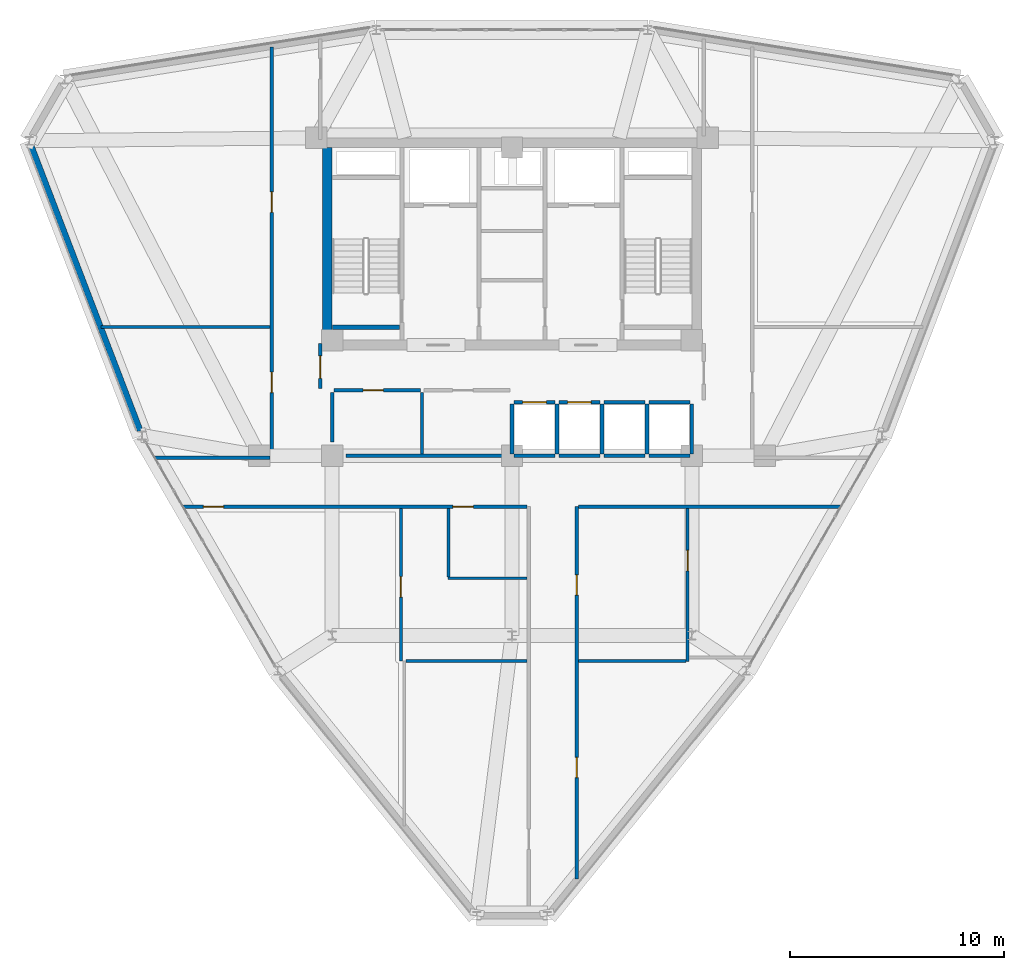
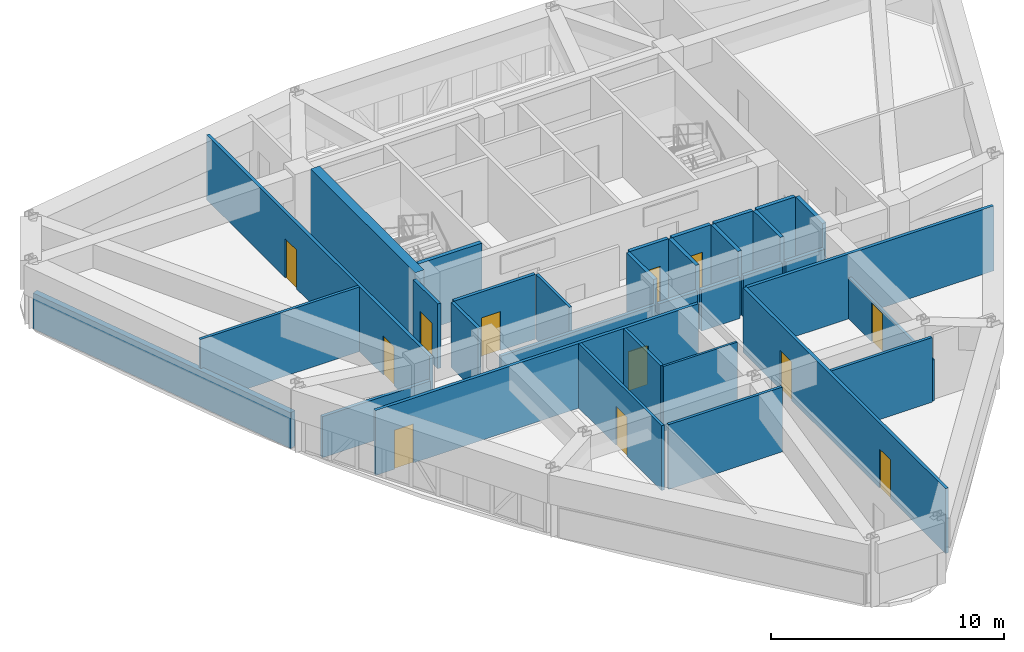
# One storey, part 10 of 14: 33 walls, 12 doors, 12 openings.
"""IFC4 building model written with IfcOpenShell, lengths in metres."""

from ifc_helpers import new_model, si_unit, derived_unit, direction, frame, frame_2d, origin, place, context, subcontext, project, spatial, rectangle, extrude, material, layer, layer_set, type_object, element, fill, save


model = new_model("IFC4")

# Units and contexts
model_context = context("Model", 3, precision=1e-05, world=origin(), true_north=direction((0.0, 1.0)))
body_context = subcontext(model_context, "Body", "Model", "MODEL_VIEW")
ifc_project = project(units=[si_unit("LENGTHUNIT", "METRE"), si_unit("AREAUNIT", "SQUARE_METRE"), si_unit("VOLUMEUNIT", "CUBIC_METRE"), si_unit("PLANEANGLEUNIT", "RADIAN"), si_unit("MASSUNIT", "GRAM", prefix="KILO"), derived_unit("THERMALTRANSMITTANCEUNIT", [(si_unit("POWERUNIT", "WATT"), 1), (si_unit("LENGTHUNIT", "METRE"), -2), (si_unit("THERMODYNAMICTEMPERATUREUNIT", "KELVIN"), -1)])], contexts=[model_context])

# Site, building, storey
site_placement = place(None, origin())
site = spatial("IfcSite", under=ifc_project, at=site_placement, CompositionType="ELEMENT")
building_placement = place(site_placement, origin())
building = spatial("IfcBuilding", under=site, at=building_placement, Name="Korsvarv Bourse and Concert Hall", CompositionType="ELEMENT")
storey_placement = place(building_placement, frame((0.0, 0.0, 175.800048828125)))
storey = spatial("IfcBuildingStorey", under=building, at=storey_placement, Name="L45", CompositionType="ELEMENT", Elevation=175.800048828125)

# Walls
ifc_material_1 = material(Name="Concrete C50/60", Category="concrete")
ifc_layer_1 = layer(ifc_material_1, 0.3798828125)
ifc_layer_set_1 = layer_set([ifc_layer_1], Name="Concrete C50/60")
wall_type_1 = type_object("IfcWallType", Name="WL-CORE-380", PredefinedType="SHEAR", material=ifc_layer_set_1)
wall_1_placement = place(storey_placement, frame((27.610107421875, 38.39990234375, 0.0), z_axis=(0.0, 0.0, 1.0), x_axis=(1.0, 0.0, 0.0)))
element("IfcWall", 1, at=wall_1_placement, inside=storey, type_object=wall_type_1, Name="L45 stair shaft structural wall W-L45-ST1-S", PredefinedType="SHEAR", context=body_context, shape_type="SweptSolid", body=[
    extrude(rectangle(XDim=3.139892578125, YDim=0.199951171875, at=frame_2d((1.56982421875, 0.0))), origin(), (0.0, 0.0, 1.0), 3.599853515625),
])
ifc_material_2 = material(Name="Concrete C55/67", Category="concrete")
ifc_layer_2 = layer(ifc_material_2, 0.449951171875)
ifc_layer_set_2 = layer_set([ifc_layer_2], Name="Concrete C55/67")
wall_type_2 = type_object("IfcWallType", Name="WL-CORE-450", PredefinedType="SHEAR", material=ifc_layer_set_2)
wall_2_placement = place(storey_placement, frame((27.375, 37.800048828125, 0.0), z_axis=(0.0, 0.0, 1.0), x_axis=(0.0, 1.0, 0.0)))
element("IfcWall", 2, at=wall_2_placement, inside=storey, type_object=wall_type_2, Name="L45 West Core Shear Wall", PredefinedType="SHEAR", context=body_context, shape_type="SweptSolid", body=[
    extrude(rectangle(XDim=9.0, YDim=0.449951171875, at=frame_2d((4.5, 0.0))), origin(), (0.0, 0.0, 1.0), 3.599853515625),
])
ifc_material_3 = material(Name="Precast concrete C45/55 with fluted terracotta pier", Category="concrete")
ifc_layer_3 = layer(ifc_material_3, 0.280029296875)
ifc_layer_set_3 = layer_set([ifc_layer_3], Name="Precast concrete C45/55 with fluted terracotta pier")
wall_type_3 = type_object("IfcWallType", Name="WL-EXT-TC2", PredefinedType="SOLIDWALL", material=ifc_layer_set_3)
wall_3_placement = place(storey_placement, frame((13.527587890625, 46.9013671875, 0.0), z_axis=(0.0, 0.0, 1.0), x_axis=(0.357407179744, -0.933948664471, 0.0)))
element("IfcWall", 3, at=wall_3_placement, inside=storey, type_object=wall_type_3, Name="L45 terracotta exterior wall EW-L45-B06", PredefinedType="SOLIDWALL", context=body_context, shape_type="SweptSolid", body=[
    extrude(rectangle(XDim=14.283935546875, YDim=0.280029296875, at=frame_2d((7.14208984375, 0.0))), origin(), (0.0, 0.0, 1.0), 1.869873046875),
])
ifc_material_4 = material(Name="Double-stud fire-rated acoustic partition", Category="gypsum")
ifc_layer_4 = layer(ifc_material_4, 0.159912109375)
ifc_layer_set_4 = layer_set([ifc_layer_4], Name="Double-stud fire-rated acoustic partition")
wall_type_4 = type_object("IfcWallType", Name="WL-INT-EI60", PredefinedType="PARTITIONING", material=ifc_layer_set_4)
wall_4_placement = place(storey_placement, frame((28.25, 32.39990234375, 0.0), z_axis=(0.0, 0.0, 1.0), x_axis=(1.0, 0.0, 0.0)))
element("IfcWall", 4, at=wall_4_placement, inside=storey, type_object=wall_type_4, Name="L45 interior partition wall W-L45-FRD-S", PredefinedType="PARTITIONING", context=body_context, shape_type="SweptSolid", body=[
    extrude(rectangle(XDim=7.64990234375, YDim=0.159912109375, at=frame_2d((3.824951171875, 0.0))), origin(), (0.0, 0.0, 1.0), 2.159912109375),
])
wall_5_placement = place(storey_placement, frame((27.60009765625, 33.050048828125, 0.0), z_axis=(0.0, 0.0, 1.0), x_axis=(0.0, 1.0, 0.0)))
element("IfcWall", 5, at=wall_5_placement, inside=storey, type_object=wall_type_4, Name="L45 interior partition wall W-L45-FRD-W", PredefinedType="PARTITIONING", context=body_context, shape_type="SweptSolid", body=[
    extrude(rectangle(XDim=2.31005859375, YDim=0.159912109375, at=frame_2d((1.155029296875, 0.0))), origin(), (0.0, 0.0, 1.0), 3.39990234375),
])

# Wall, opening, door
wall_6_placement = place(storey_placement, frame((27.68994140625, 35.449951171875, 0.0), z_axis=(0.0, 0.0, 1.0), x_axis=(1.0, 0.0, 0.0)))
wall_6 = element("IfcWall", 6, at=wall_6_placement, inside=storey, type_object=wall_type_4, Name="L45 interior partition wall W-L45-FRD-N1", PredefinedType="PARTITIONING", context=body_context, shape_type="SweptSolid", body=[
    extrude(rectangle(XDim=4.030029296875, YDim=0.159912109375, at=frame_2d((2.01513671875, 0.0))), origin(), (0.0, 0.0, 1.0), 3.39990234375),
])
opening_1_placement = place(wall_6_placement, frame((1.35009765625, 0.0, 0.0)))
opening_1 = element("IfcOpeningElement", 7, at=opening_1_placement, cuts=wall_6, Name="Opening D-03", PredefinedType="OPENING", context=body_context, shape_type="SweptSolid", body=[
    extrude(rectangle(XDim=0.949951171875, YDim=2.050048828125, at=frame_2d((0.47509765625, 1.02490234375))), frame((0.0, 0.08984375, 0.0), z_axis=(0.0, -1.0, 0.0), x_axis=(1.0, 0.0, 0.0)), (0.0, 0.0, 1.0), 0.179931640625),
])
ifc_material_5 = material(Name="Nordic oak acoustic office door", Category="wood")
door_type_1 = type_object("IfcDoorType", Name="DR-INT-1", OperationType="NOTDEFINED", PredefinedType="DOOR", material=ifc_material_5)
door_1_placement = place(opening_1_placement, origin())
door_1 = element("IfcDoor", 8, at=door_1_placement, inside=storey, type_object=door_type_1, Name="L45 interior door DR-L45-FRDN1", OperationType="SINGLE_SWING_RIGHT", OverallHeight=2.050048828125, OverallWidth=0.949951171875, PredefinedType="DOOR", context=body_context, shape_type="SweptSolid", body=[
    extrude(rectangle(XDim=0.949951171875, YDim=2.050048828125, at=frame_2d((0.47509765625, 1.02490234375))), frame((0.0, 0.02490234375, 0.0), z_axis=(0.0, -1.0, 0.0), x_axis=(1.0, 0.0, 0.0)), (0.0, 0.0, 1.0), 0.050048828125),
])
fill(opening_1, door_1)

wall_7_placement = place(storey_placement, frame((27.0400390625, 35.5400390625, 0.0), z_axis=(0.0, 0.0, 1.0), x_axis=(0.0, 1.0, 0.0)))
wall_7 = element("IfcWall", 9, at=wall_7_placement, inside=storey, type_object=wall_type_4, Name="L45 interior partition wall W-L45-LOB-WL", PredefinedType="PARTITIONING", context=body_context, shape_type="SweptSolid", body=[
    extrude(rectangle(XDim=2.10986328125, YDim=0.159912109375, at=frame_2d((1.054931640625, 0.0))), origin(), (0.0, 0.0, 1.0), 3.39990234375),
])
opening_2_placement = place(wall_7_placement, frame((0.47998046875, 0.0, 0.0)))
opening_2 = element("IfcOpeningElement", 10, at=opening_2_placement, cuts=wall_7, Name="Opening D-01", PredefinedType="OPENING", context=body_context, shape_type="SweptSolid", body=[
    extrude(rectangle(XDim=1.050048828125, YDim=2.10009765625, at=frame_2d((0.52490234375, 1.050048828125))), frame((0.0, 0.08984375, 0.0), z_axis=(0.0, -1.0, 0.0), x_axis=(1.0, 0.0, 0.0)), (0.0, 0.0, 1.0), 0.179931640625),
])
ifc_material_6 = material(Name="Steel S355 fire door", Category="steel")
door_type_2 = type_object("IfcDoorType", Name="DR-FD60", OperationType="NOTDEFINED", PredefinedType="DOOR", material=ifc_material_6)
door_2_placement = place(opening_2_placement, frame((1.050048828125, 0.0, 0.0), z_axis=(0.0, 0.0, 1.0), x_axis=(-1.0, 0.0, 0.0)))
door_2 = element("IfcDoor", 11, at=door_2_placement, inside=storey, type_object=door_type_2, Name="L45 interior door DR-L45-LOBW", OperationType="SINGLE_SWING_RIGHT", OverallHeight=2.10009765625, OverallWidth=1.050048828125, PredefinedType="DOOR", context=body_context, shape_type="SweptSolid", body=[
    extrude(rectangle(XDim=1.050048828125, YDim=2.10009765625, at=frame_2d((0.52490234375, 1.050048828125))), frame((0.0, 0.02490234375, 0.0), z_axis=(0.0, -1.0, 0.0), x_axis=(1.0, 0.0, 0.0)), (0.0, 0.0, 1.0), 0.050048828125),
])
fill(opening_2, door_2)

# Wall, openings, doors
wall_8_placement = place(storey_placement, frame((24.77490234375, 32.31005859375, 0.0), z_axis=(0.0, 0.0, 1.0), x_axis=(0.0, 1.0, 0.0)))
wall_8 = element("IfcWall", 12, at=wall_8_placement, inside=storey, type_object=wall_type_4, Name="L45 interior partition wall W-L45-TCOR-02", PredefinedType="PARTITIONING", context=body_context, shape_type="SweptSolid", body=[
    extrude(rectangle(XDim=19.187744140625, YDim=0.159912109375, at=frame_2d((9.59375, 0.0))), origin(), (0.0, 0.0, 1.0), 3.39990234375),
])
opening_3_placement = place(wall_8_placement, frame((3.044189453125, 0.0, 0.0)))
opening_3 = element("IfcOpeningElement", 13, at=opening_3_placement, cuts=wall_8, Name="Opening D-02", PredefinedType="OPENING", context=body_context, shape_type="SweptSolid", body=[
    extrude(rectangle(XDim=0.949951171875, YDim=2.050048828125, at=frame_2d((0.47509765625, 1.02490234375))), frame((0.0, 0.08984375, 0.0), z_axis=(0.0, -1.0, 0.0), x_axis=(1.0, 0.0, 0.0)), (0.0, 0.0, 1.0), 0.179931640625),
])
opening_4_placement = place(wall_8_placement, frame((11.46337890625, 0.0, 0.0)))
opening_4 = element("IfcOpeningElement", 14, at=opening_4_placement, cuts=wall_8, Name="Opening D-02", PredefinedType="OPENING", context=body_context, shape_type="SweptSolid", body=[
    extrude(rectangle(XDim=0.949951171875, YDim=2.050048828125, at=frame_2d((0.47509765625, 1.02490234375))), frame((0.0, 0.08984375, 0.0), z_axis=(0.0, -1.0, 0.0), x_axis=(1.0, 0.0, 0.0)), (0.0, 0.0, 1.0), 0.179931640625),
])
ifc_material_7 = material(Name="Timber and steel acoustic fire door", Category="wood")
door_type_3 = type_object("IfcDoorType", Name="DR-FD30", OperationType="NOTDEFINED", PredefinedType="DOOR", material=ifc_material_7)
door_3_placement = place(opening_3_placement, origin())
door_3 = element("IfcDoor", 15, at=door_3_placement, inside=storey, type_object=door_type_3, Name="L45 interior door DR-L45-TCOR-CD610", OperationType="SINGLE_SWING_RIGHT", OverallHeight=2.050048828125, OverallWidth=0.949951171875, PredefinedType="DOOR", context=body_context, shape_type="SweptSolid", body=[
    extrude(rectangle(XDim=0.949951171875, YDim=2.050048828125, at=frame_2d((0.47509765625, 1.02490234375))), frame((0.0, 0.02490234375, 0.0), z_axis=(0.0, -1.0, 0.0), x_axis=(1.0, 0.0, 0.0)), (0.0, 0.0, 1.0), 0.050048828125),
])
fill(opening_3, door_3)
door_4_placement = place(opening_4_placement, origin())
door_4 = element("IfcDoor", 16, at=door_4_placement, inside=storey, type_object=door_type_3, Name="L45 interior door DR-L45-TCOR-CD711", OperationType="SINGLE_SWING_LEFT", OverallHeight=2.050048828125, OverallWidth=0.949951171875, PredefinedType="DOOR", context=body_context, shape_type="SweptSolid", body=[
    extrude(rectangle(XDim=0.949951171875, YDim=2.050048828125, at=frame_2d((0.47509765625, 1.02490234375))), frame((0.0, 0.02490234375, 0.0), z_axis=(0.0, -1.0, 0.0), x_axis=(1.0, 0.0, 0.0)), (0.0, 0.0, 1.0), 0.050048828125),
])
fill(opening_4, door_4)

wall_9_placement = place(storey_placement, frame((39.02490234375, 12.623046875, 0.0), z_axis=(0.0, 0.0, 1.0), x_axis=(0.0, 1.0, 0.0)))
wall_9 = element("IfcWall", 17, at=wall_9_placement, inside=storey, type_object=wall_type_4, Name="L45 interior partition wall W-L45-TCOR-04", PredefinedType="PARTITIONING", context=body_context, shape_type="SweptSolid", body=[
    extrude(rectangle(XDim=17.406982421875, YDim=0.159912109375, at=frame_2d((8.70361328125, 0.0))), origin(), (0.0, 0.0, 1.0), 3.39990234375),
])
opening_5_placement = place(wall_9_placement, frame((4.74169921875, 0.0, 0.0)))
opening_5 = element("IfcOpeningElement", 18, at=opening_5_placement, cuts=wall_9, Name="Opening D-02", PredefinedType="OPENING", context=body_context, shape_type="SweptSolid", body=[
    extrude(rectangle(XDim=0.949951171875, YDim=2.050048828125, at=frame_2d((0.47509765625, 1.02490234375))), frame((0.0, 0.08984375, 0.0), z_axis=(0.0, -1.0, 0.0), x_axis=(1.0, 0.0, 0.0)), (0.0, 0.0, 1.0), 0.179931640625),
])
opening_6_placement = place(wall_9_placement, frame((13.261962890625, 0.0, 0.0)))
opening_6 = element("IfcOpeningElement", 19, at=opening_6_placement, cuts=wall_9, Name="Opening D-02", PredefinedType="OPENING", context=body_context, shape_type="SweptSolid", body=[
    extrude(rectangle(XDim=0.949951171875, YDim=2.050048828125, at=frame_2d((0.47509765625, 1.02490234375))), frame((0.0, 0.08984375, 0.0), z_axis=(0.0, -1.0, 0.0), x_axis=(1.0, 0.0, 0.0)), (0.0, 0.0, 1.0), 0.179931640625),
])
door_5_placement = place(opening_5_placement, origin())
door_5 = element("IfcDoor", 20, at=door_5_placement, inside=storey, type_object=door_type_3, Name="L45 interior door DR-L45-TCOR-CD53", OperationType="SINGLE_SWING_LEFT", OverallHeight=2.050048828125, OverallWidth=0.949951171875, PredefinedType="DOOR", context=body_context, shape_type="SweptSolid", body=[
    extrude(rectangle(XDim=0.949951171875, YDim=2.050048828125, at=frame_2d((0.47509765625, 1.02490234375))), frame((0.0, 0.02490234375, 0.0), z_axis=(0.0, -1.0, 0.0), x_axis=(1.0, 0.0, 0.0)), (0.0, 0.0, 1.0), 0.050048828125),
])
fill(opening_5, door_5)
door_6_placement = place(opening_6_placement, origin())
door_6 = element("IfcDoor", 21, at=door_6_placement, inside=storey, type_object=door_type_3, Name="L45 interior door DR-L45-TCOR-CD24", OperationType="SINGLE_SWING_RIGHT", OverallHeight=2.050048828125, OverallWidth=0.949951171875, PredefinedType="DOOR", context=body_context, shape_type="SweptSolid", body=[
    extrude(rectangle(XDim=0.949951171875, YDim=2.050048828125, at=frame_2d((0.47509765625, 1.02490234375))), frame((0.0, 0.02490234375, 0.0), z_axis=(0.0, -1.0, 0.0), x_axis=(1.0, 0.0, 0.0)), (0.0, 0.0, 1.0), 0.050048828125),
])
fill(opening_6, door_6)

wall_10_placement = place(storey_placement, frame((20.65283203125, 30.02490234375, 0.0), z_axis=(0.0, 0.0, 1.0), x_axis=(1.0, 0.0, 0.0)))
wall_10 = element("IfcWall", 22, at=wall_10_placement, inside=storey, type_object=wall_type_4, Name="L45 interior partition wall W-L45-TCOR-05", PredefinedType="PARTITIONING", context=body_context, shape_type="SweptSolid", body=[
    extrude(rectangle(XDim=16.040283203125, YDim=0.159912109375, at=frame_2d((8.02001953125, 0.0))), origin(), (0.0, 0.0, 1.0), 3.39990234375),
])
opening_7_placement = place(wall_10_placement, frame((12.587158203125, 0.0, 0.0)))
opening_7 = element("IfcOpeningElement", 23, at=opening_7_placement, cuts=wall_10, Name="Opening D-02", PredefinedType="OPENING", context=body_context, shape_type="SweptSolid", body=[
    extrude(rectangle(XDim=0.949951171875, YDim=2.050048828125, at=frame_2d((0.47509765625, 1.02490234375))), frame((0.0, 0.08984375, 0.0), z_axis=(0.0, -1.0, 0.0), x_axis=(1.0, 0.0, 0.0)), (0.0, 0.0, 1.0), 0.179931640625),
])
opening_8_placement = place(wall_10_placement, frame((0.929931640625, 0.0, 0.0)))
opening_8 = element("IfcOpeningElement", 24, at=opening_8_placement, cuts=wall_10, Name="Opening D-02", PredefinedType="OPENING", context=body_context, shape_type="SweptSolid", body=[
    extrude(rectangle(XDim=0.949951171875, YDim=2.050048828125, at=frame_2d((0.47509765625, 1.02490234375))), frame((0.0, 0.08984375, 0.0), z_axis=(0.0, -1.0, 0.0), x_axis=(1.0, 0.0, 0.0)), (0.0, 0.0, 1.0), 0.179931640625),
])
door_7_placement = place(opening_7_placement, origin())
door_7 = element("IfcDoor", 25, at=door_7_placement, inside=storey, type_object=door_type_3, Name="L45 interior door DR-L45-TCOR-RWC", OperationType="SINGLE_SWING_LEFT", OverallHeight=2.050048828125, OverallWidth=0.949951171875, PredefinedType="DOOR", context=body_context, shape_type="SweptSolid", body=[
    extrude(rectangle(XDim=0.949951171875, YDim=2.050048828125, at=frame_2d((0.47509765625, 1.02490234375))), frame((0.0, 0.02490234375, 0.0), z_axis=(0.0, -1.0, 0.0), x_axis=(1.0, 0.0, 0.0)), (0.0, 0.0, 1.0), 0.050048828125),
])
fill(opening_7, door_7)
door_8_placement = place(opening_8_placement, origin())
door_8 = element("IfcDoor", 26, at=door_8_placement, inside=storey, type_object=door_type_3, Name="L45 interior door DR-L45-TCOR-CD17", OperationType="SINGLE_SWING_RIGHT", OverallHeight=2.050048828125, OverallWidth=0.949951171875, PredefinedType="DOOR", context=body_context, shape_type="SweptSolid", body=[
    extrude(rectangle(XDim=0.949951171875, YDim=2.050048828125, at=frame_2d((0.47509765625, 1.02490234375))), frame((0.0, 0.02490234375, 0.0), z_axis=(0.0, -1.0, 0.0), x_axis=(1.0, 0.0, 0.0)), (0.0, 0.0, 1.0), 0.050048828125),
])
fill(opening_8, door_8)

# Walls
wall_11_placement = place(storey_placement, frame((39.10693359375, 30.02490234375, 0.0), z_axis=(0.0, 0.0, 1.0), x_axis=(1.0, 0.0, 0.0)))
element("IfcWall", 27, at=wall_11_placement, inside=storey, type_object=wall_type_4, Name="L45 interior partition wall W-L45-TCOR-06", PredefinedType="PARTITIONING", context=body_context, shape_type="SweptSolid", body=[
    extrude(rectangle(XDim=12.240234375, YDim=0.159912109375, at=frame_2d((6.1201171875, 0.0))), origin(), (0.0, 0.0, 1.0), 3.39990234375),
])
wall_12_placement = place(storey_placement, frame((19.330810546875, 32.31494140625, 0.0), z_axis=(0.0, 0.0, 1.0), x_axis=(1.0, 0.0, 0.0)))
element("IfcWall", 28, at=wall_12_placement, inside=storey, type_object=wall_type_4, Name="L45 interior partition wall W-L45-TCOR-08", PredefinedType="PARTITIONING", context=body_context, shape_type="SweptSolid", body=[
    extrude(rectangle(XDim=5.3623046875, YDim=0.159912109375, at=frame_2d((2.68115234375, 0.0))), origin(), (0.0, 0.0, 1.0), 2.159912109375),
])

# Wall, opening, door
ifc_material_8 = material(Name="Gypsum-clad autoclaved concrete shaft wall C30/37", Category="concrete")
ifc_layer_5 = layer(ifc_material_8, 0.179931640625)
ifc_layer_set_5 = layer_set([ifc_layer_5], Name="Gypsum-clad autoclaved concrete shaft wall C30/37")
wall_type_5 = type_object("IfcWallType", Name="WL-INT-EI90", PredefinedType="PARTITIONING", material=ifc_layer_set_5)
wall_13_placement = place(storey_placement, frame((36.090087890625, 34.89990234375, 0.0), z_axis=(0.0, 0.0, 1.0), x_axis=(1.0, 0.0, 0.0)))
wall_13 = element("IfcWall", 29, at=wall_13_placement, inside=storey, type_object=wall_type_5, Name="L45 interior partition wall W-L45-SHFN-PH1", PredefinedType="PARTITIONING", context=body_context, shape_type="SweptSolid", body=[
    extrude(rectangle(XDim=1.919921875, YDim=0.179931640625, at=frame_2d((0.9599609375, 0.0))), origin(), (0.0, 0.0, 1.0), 3.39990234375),
])
opening_9_placement = place(wall_13_placement, frame((0.409912109375, 0.0, 0.0)))
opening_9 = element("IfcOpeningElement", 30, at=opening_9_placement, cuts=wall_13, Name="Opening LD-2", PredefinedType="OPENING", context=body_context, shape_type="SweptSolid", body=[
    extrude(rectangle(XDim=1.10009765625, YDim=2.10009765625, at=frame_2d((0.550048828125, 1.050048828125))), frame((0.0, 0.10009765625, 0.0), z_axis=(0.0, -1.0, 0.0), x_axis=(1.0, 0.0, 0.0)), (0.0, 0.0, 1.0), 0.199951171875),
])
ifc_material_9 = material(Name="Brushed stainless Steel S355 lift landing door", Category="steel")
door_type_4 = type_object("IfcDoorType", Name="DR-LIFT-P", OperationType="DOUBLE_DOOR_SLIDING", PredefinedType="DOOR", material=ifc_material_9)
door_9_placement = place(opening_9_placement, origin())
door_9 = element("IfcDoor", 31, at=door_9_placement, inside=storey, type_object=door_type_4, Name="L45 lift sliding landing door LD-L45-PH1", OperationType="DOUBLE_DOOR_SLIDING", OverallHeight=2.10009765625, OverallWidth=1.10009765625, PredefinedType="DOOR", context=body_context, shape_type="SweptSolid", body=[
    extrude(rectangle(XDim=1.10009765625, YDim=2.10009765625, at=frame_2d((0.550048828125, 1.050048828125))), frame((0.0, 0.02490234375, 0.0), z_axis=(0.0, -1.0, 0.0), x_axis=(1.0, 0.0, 0.0)), (0.0, 0.0, 1.0), 0.050048828125),
])
fill(opening_9, door_9)

# Walls
wall_14_placement = place(storey_placement, frame((36.090087890625, 32.39990234375, 0.0), z_axis=(0.0, 0.0, 1.0), x_axis=(1.0, 0.0, 0.0)))
element("IfcWall", 32, at=wall_14_placement, inside=storey, type_object=wall_type_5, Name="L45 interior partition wall W-L45-SHFS-PH1", PredefinedType="PARTITIONING", context=body_context, shape_type="SweptSolid", body=[
    extrude(rectangle(XDim=1.919921875, YDim=0.179931640625, at=frame_2d((0.9599609375, 0.0))), origin(), (0.0, 0.0, 1.0), 2.159912109375),
])
wall_15_placement = place(storey_placement, frame((36.0, 32.489990234375, 0.0), z_axis=(0.0, 0.0, 1.0), x_axis=(0.0, 1.0, 0.0)))
element("IfcWall", 33, at=wall_15_placement, inside=storey, type_object=wall_type_5, Name="L45 interior partition wall W-L45-SHFW-PH1", PredefinedType="PARTITIONING", context=body_context, shape_type="SweptSolid", body=[
    extrude(rectangle(XDim=2.320068359375, YDim=0.179931640625, at=frame_2d((1.16015625, 0.0))), origin(), (0.0, 0.0, 1.0), 3.39990234375),
])

# Wall, opening, door
wall_16_placement = place(storey_placement, frame((38.18994140625, 34.89990234375, 0.0), z_axis=(0.0, 0.0, 1.0), x_axis=(1.0, 0.0, 0.0)))
wall_16 = element("IfcWall", 34, at=wall_16_placement, inside=storey, type_object=wall_type_5, Name="L45 interior partition wall W-L45-SHFN-PH2", PredefinedType="PARTITIONING", context=body_context, shape_type="SweptSolid", body=[
    extrude(rectangle(XDim=1.920166015625, YDim=0.179931640625, at=frame_2d((0.9599609375, 0.0))), origin(), (0.0, 0.0, 1.0), 3.39990234375),
])
opening_10_placement = place(wall_16_placement, frame((0.409912109375, 0.0, 0.0)))
opening_10 = element("IfcOpeningElement", 35, at=opening_10_placement, cuts=wall_16, Name="Opening LD-2", PredefinedType="OPENING", context=body_context, shape_type="SweptSolid", body=[
    extrude(rectangle(XDim=1.10009765625, YDim=2.10009765625, at=frame_2d((0.550048828125, 1.050048828125))), frame((0.0, 0.10009765625, 0.0), z_axis=(0.0, -1.0, 0.0), x_axis=(1.0, 0.0, 0.0)), (0.0, 0.0, 1.0), 0.199951171875),
])
door_10_placement = place(opening_10_placement, origin())
door_10 = element("IfcDoor", 36, at=door_10_placement, inside=storey, type_object=door_type_4, Name="L45 lift sliding landing door LD-L45-PH2", OperationType="DOUBLE_DOOR_SLIDING", OverallHeight=2.10009765625, OverallWidth=1.10009765625, PredefinedType="DOOR", context=body_context, shape_type="SweptSolid", body=[
    extrude(rectangle(XDim=1.10009765625, YDim=2.10009765625, at=frame_2d((0.550048828125, 1.050048828125))), frame((0.0, 0.02490234375, 0.0), z_axis=(0.0, -1.0, 0.0), x_axis=(1.0, 0.0, 0.0)), (0.0, 0.0, 1.0), 0.050048828125),
])
fill(opening_10, door_10)

# Walls
wall_17_placement = place(storey_placement, frame((38.18994140625, 32.39990234375, 0.0), z_axis=(0.0, 0.0, 1.0), x_axis=(1.0, 0.0, 0.0)))
element("IfcWall", 37, at=wall_17_placement, inside=storey, type_object=wall_type_5, Name="L45 interior partition wall W-L45-SHFS-PH2", PredefinedType="PARTITIONING", context=body_context, shape_type="SweptSolid", body=[
    extrude(rectangle(XDim=1.920166015625, YDim=0.179931640625, at=frame_2d((0.9599609375, 0.0))), origin(), (0.0, 0.0, 1.0), 2.159912109375),
])
wall_18_placement = place(storey_placement, frame((38.10009765625, 32.489990234375, 0.0), z_axis=(0.0, 0.0, 1.0), x_axis=(0.0, 1.0, 0.0)))
element("IfcWall", 38, at=wall_18_placement, inside=storey, type_object=wall_type_5, Name="L45 interior partition wall W-L45-SHFW-PH2", PredefinedType="PARTITIONING", context=body_context, shape_type="SweptSolid", body=[
    extrude(rectangle(XDim=2.320068359375, YDim=0.179931640625, at=frame_2d((1.16015625, 0.0))), origin(), (0.0, 0.0, 1.0), 3.39990234375),
])
wall_19_placement = place(storey_placement, frame((40.2900390625, 34.89990234375, 0.0), z_axis=(0.0, 0.0, 1.0), x_axis=(1.0, 0.0, 0.0)))
element("IfcWall", 39, at=wall_19_placement, inside=storey, type_object=wall_type_5, Name="L45 interior partition wall W-L45-SHFN-PO1", PredefinedType="PARTITIONING", context=body_context, shape_type="SweptSolid", body=[
    extrude(rectangle(XDim=1.919921875, YDim=0.179931640625, at=frame_2d((0.9599609375, 0.0))), origin(), (0.0, 0.0, 1.0), 3.39990234375),
])
wall_20_placement = place(storey_placement, frame((40.2900390625, 32.39990234375, 0.0), z_axis=(0.0, 0.0, 1.0), x_axis=(1.0, 0.0, 0.0)))
element("IfcWall", 40, at=wall_20_placement, inside=storey, type_object=wall_type_5, Name="L45 interior partition wall W-L45-SHFS-PO1", PredefinedType="PARTITIONING", context=body_context, shape_type="SweptSolid", body=[
    extrude(rectangle(XDim=1.919921875, YDim=0.179931640625, at=frame_2d((0.9599609375, 0.0))), origin(), (0.0, 0.0, 1.0), 2.159912109375),
])
wall_21_placement = place(storey_placement, frame((40.199951171875, 32.489990234375, 0.0), z_axis=(0.0, 0.0, 1.0), x_axis=(0.0, 1.0, 0.0)))
element("IfcWall", 41, at=wall_21_placement, inside=storey, type_object=wall_type_5, Name="L45 interior partition wall W-L45-SHFW-PO1", PredefinedType="PARTITIONING", context=body_context, shape_type="SweptSolid", body=[
    extrude(rectangle(XDim=2.320068359375, YDim=0.179931640625, at=frame_2d((1.16015625, 0.0))), origin(), (0.0, 0.0, 1.0), 3.39990234375),
])
wall_22_placement = place(storey_placement, frame((42.389892578125, 34.89990234375, 0.0), z_axis=(0.0, 0.0, 1.0), x_axis=(1.0, 0.0, 0.0)))
element("IfcWall", 42, at=wall_22_placement, inside=storey, type_object=wall_type_5, Name="L45 interior partition wall W-L45-SHFN-PO2", PredefinedType="PARTITIONING", context=body_context, shape_type="SweptSolid", body=[
    extrude(rectangle(XDim=1.920166015625, YDim=0.179931640625, at=frame_2d((0.9599609375, 0.0))), origin(), (0.0, 0.0, 1.0), 3.39990234375),
])
wall_23_placement = place(storey_placement, frame((42.389892578125, 32.39990234375, 0.0), z_axis=(0.0, 0.0, 1.0), x_axis=(1.0, 0.0, 0.0)))
element("IfcWall", 43, at=wall_23_placement, inside=storey, type_object=wall_type_5, Name="L45 interior partition wall W-L45-SHFS-PO2", PredefinedType="PARTITIONING", context=body_context, shape_type="SweptSolid", body=[
    extrude(rectangle(XDim=1.920166015625, YDim=0.179931640625, at=frame_2d((0.9599609375, 0.0))), origin(), (0.0, 0.0, 1.0), 2.159912109375),
])
for number, where, z_axis, x_axis, name in (
    (44, (42.300048828125, 32.489990234375, 0.0), (0.0, 0.0, 1.0), (0.0, 1.0, 0.0), "L45 interior partition wall W-L45-SHFW-PO2"),
    (45, (44.39990234375, 32.489990234375, 0.0), (0.0, 0.0, 1.0), (0.0, 1.0, 0.0), "L45 interior partition wall W-L45-SHFE-END"),
):
    element("IfcWall", number, at=place(storey_placement, frame(where, z_axis=z_axis, x_axis=x_axis)), inside=storey, type_object=wall_type_5, Name=name, PredefinedType="PARTITIONING", context=body_context, shape_type="SweptSolid", body=[
        extrude(rectangle(XDim=2.320068359375, YDim=0.179931640625, at=frame_2d((1.16015625, 0.0))), origin(), (0.0, 0.0, 1.0), 3.39990234375),
    ])
ifc_material_10 = material(Name="Demountable acoustic glass and aluminium dealing partition", Category="aluminium")
ifc_layer_6 = layer(ifc_material_10, 0.110107421875)
ifc_layer_set_6 = layer_set([ifc_layer_6], Name="Demountable acoustic glass and aluminium dealing partition")
wall_type_6 = type_object("IfcWallType", Name="WL-INT-MOV", PredefinedType="MOVABLE", material=ifc_layer_set_6)
wall_24_placement = place(storey_placement, frame((33.02001953125, 26.675048828125, 0.0), z_axis=(0.0, 0.0, 1.0), x_axis=(1.0, 0.0, 0.0)))
element("IfcWall", 46, at=wall_24_placement, inside=storey, type_object=wall_type_6, Name="L45 interior partition wall W-L45-TCOR-18", PredefinedType="MOVABLE", context=body_context, shape_type="SweptSolid", body=[
    extrude(rectangle(XDim=3.673095703125, YDim=0.110107421875, at=frame_2d((1.83642578125, 0.0))), origin(), (0.0, 0.0, 1.0), 3.39990234375),
])
ifc_material_11 = material(Name="Insulated steel-stud office acoustic partition", Category="gypsum")
ifc_layer_7 = layer(ifc_material_11, 0.139892578125)
ifc_layer_set_7 = layer_set([ifc_layer_7], Name="Insulated steel-stud office acoustic partition")
wall_type_7 = type_object("IfcWallType", Name="WL-INT-P1", PredefinedType="PARTITIONING", material=ifc_layer_set_7)
wall_25_placement = place(storey_placement, frame((31.800048828125, 32.489990234375, 0.0), z_axis=(0.0, 0.0, 1.0), x_axis=(0.0, 1.0, 0.0)))
element("IfcWall", 47, at=wall_25_placement, inside=storey, type_object=wall_type_7, Name="L45 interior partition wall W-L45-FRD-V", PredefinedType="PARTITIONING", context=body_context, shape_type="SweptSolid", body=[
    extrude(rectangle(XDim=2.8701171875, YDim=0.139892578125, at=frame_2d((1.43505859375, 0.0))), origin(), (0.0, 0.0, 1.0), 3.39990234375),
])
wall_26_placement = place(storey_placement, frame((16.799072265625, 38.405029296875, 0.0), z_axis=(0.0, 0.0, 1.0), x_axis=(1.0, 0.0, 0.0)))
element("IfcWall", 48, at=wall_26_placement, inside=storey, type_object=wall_type_7, Name="L45 interior partition wall W-L45-TCOR-12", PredefinedType="PARTITIONING", context=body_context, shape_type="SweptSolid", body=[
    extrude(rectangle(XDim=7.89404296875, YDim=0.139892578125, at=frame_2d((3.947021484375, 0.0))), origin(), (0.0, 0.0, 1.0), 3.39990234375),
])

# Wall, opening, door
wall_27_placement = place(storey_placement, frame((44.205078125, 22.7900390625, 0.0), z_axis=(0.0, 0.0, 1.0), x_axis=(0.0, 1.0, 0.0)))
wall_27 = element("IfcWall", 49, at=wall_27_placement, inside=storey, type_object=wall_type_7, Name="L45 interior partition wall W-L45-TCOR-14", PredefinedType="PARTITIONING", context=body_context, shape_type="SweptSolid", body=[
    extrude(rectangle(XDim=7.153076171875, YDim=0.139892578125, at=frame_2d((3.57666015625, 0.0))), origin(), (0.0, 0.0, 1.0), 2.159912109375),
])
opening_11_placement = place(wall_27_placement, frame((4.234619140625, 0.0, 0.0)))
opening_11 = element("IfcOpeningElement", 50, at=opening_11_placement, cuts=wall_27, Name="Opening D-03", PredefinedType="OPENING", context=body_context, shape_type="SweptSolid", body=[
    extrude(rectangle(XDim=0.949951171875, YDim=2.050048828125, at=frame_2d((0.47509765625, 1.02490234375))), frame((0.0, 0.080078125, 0.0), z_axis=(0.0, -1.0, 0.0), x_axis=(1.0, 0.0, 0.0)), (0.0, 0.0, 1.0), 0.159912109375),
])
door_11_placement = place(opening_11_placement, origin())
door_11 = element("IfcDoor", 51, at=door_11_placement, inside=storey, type_object=door_type_1, Name="L45 interior door DR-L45-TCOR-CD35", OperationType="SINGLE_SWING_RIGHT", OverallHeight=2.050048828125, OverallWidth=0.949951171875, PredefinedType="DOOR", context=body_context, shape_type="SweptSolid", body=[
    extrude(rectangle(XDim=0.949951171875, YDim=2.050048828125, at=frame_2d((0.47509765625, 1.02490234375))), frame((0.0, 0.02490234375, 0.0), z_axis=(0.0, -1.0, 0.0), x_axis=(1.0, 0.0, 0.0)), (0.0, 0.0, 1.0), 0.050048828125),
])
fill(opening_11, door_11)

wall_28_placement = place(storey_placement, frame((30.804931640625, 22.81005859375, 0.0), z_axis=(0.0, 0.0, 1.0), x_axis=(0.0, 1.0, 0.0)))
wall_28 = element("IfcWall", 52, at=wall_28_placement, inside=storey, type_object=wall_type_7, Name="L45 interior partition wall W-L45-TCOR-15", PredefinedType="PARTITIONING", context=body_context, shape_type="SweptSolid", body=[
    extrude(rectangle(XDim=7.133056640625, YDim=0.139892578125, at=frame_2d((3.56640625, 0.0))), origin(), (0.0, 0.0, 1.0), 3.39990234375),
])
opening_12_placement = place(wall_28_placement, frame((2.989013671875, 0.0, 0.0)))
opening_12 = element("IfcOpeningElement", 53, at=opening_12_placement, cuts=wall_28, Name="Opening D-03", PredefinedType="OPENING", context=body_context, shape_type="SweptSolid", body=[
    extrude(rectangle(XDim=0.949951171875, YDim=2.050048828125, at=frame_2d((0.47509765625, 1.02490234375))), frame((0.0, 0.080078125, 0.0), z_axis=(0.0, -1.0, 0.0), x_axis=(1.0, 0.0, 0.0)), (0.0, 0.0, 1.0), 0.159912109375),
])
door_12_placement = place(opening_12_placement, origin())
door_12 = element("IfcDoor", 54, at=door_12_placement, inside=storey, type_object=door_type_1, Name="L45 interior door DR-L45-TCOR-RM99", OperationType="SINGLE_SWING_LEFT", OverallHeight=2.050048828125, OverallWidth=0.949951171875, PredefinedType="DOOR", context=body_context, shape_type="SweptSolid", body=[
    extrude(rectangle(XDim=0.949951171875, YDim=2.050048828125, at=frame_2d((0.47509765625, 1.02490234375))), frame((0.0, 0.02490234375, 0.0), z_axis=(0.0, -1.0, 0.0), x_axis=(1.0, 0.0, 0.0)), (0.0, 0.0, 1.0), 0.050048828125),
])
fill(opening_12, door_12)

# Walls
wall_29_placement = place(storey_placement, frame((31.037109375, 22.804931640625, 0.0), z_axis=(0.0, 0.0, 1.0), x_axis=(1.0, 0.0, 0.0)))
element("IfcWall", 55, at=wall_29_placement, inside=storey, type_object=wall_type_7, Name="L45 interior partition wall W-L45-TCOR-16", PredefinedType="PARTITIONING", context=body_context, shape_type="SweptSolid", body=[
    extrude(rectangle(XDim=5.656005859375, YDim=0.139892578125, at=frame_2d((2.828125, 0.0))), origin(), (0.0, 0.0, 1.0), 3.39990234375),
])
wall_30_placement = place(storey_placement, frame((39.10693359375, 22.804931640625, 0.0), z_axis=(0.0, 0.0, 1.0), x_axis=(1.0, 0.0, 0.0)))
element("IfcWall", 56, at=wall_30_placement, inside=storey, type_object=wall_type_7, Name="L45 interior partition wall W-L45-TCOR-17", PredefinedType="PARTITIONING", context=body_context, shape_type="SweptSolid", body=[
    extrude(rectangle(XDim=5.026123046875, YDim=0.139892578125, at=frame_2d((2.51318359375, 0.0))), origin(), (0.0, 0.0, 1.0), 3.39990234375),
])
wall_31_placement = place(storey_placement, frame((33.02490234375, 26.7470703125, 0.0), z_axis=(0.0, 0.0, 1.0), x_axis=(0.0, 1.0, 0.0)))
element("IfcWall", 57, at=wall_31_placement, inside=storey, type_object=wall_type_7, Name="L45 interior partition wall W-L45-TCOR-19", PredefinedType="PARTITIONING", context=body_context, shape_type="SweptSolid", body=[
    extrude(rectangle(XDim=3.196044921875, YDim=0.139892578125, at=frame_2d((1.59814453125, 0.0))), origin(), (0.0, 0.0, 1.0), 3.39990234375),
])

save(model, "model.ifc")
